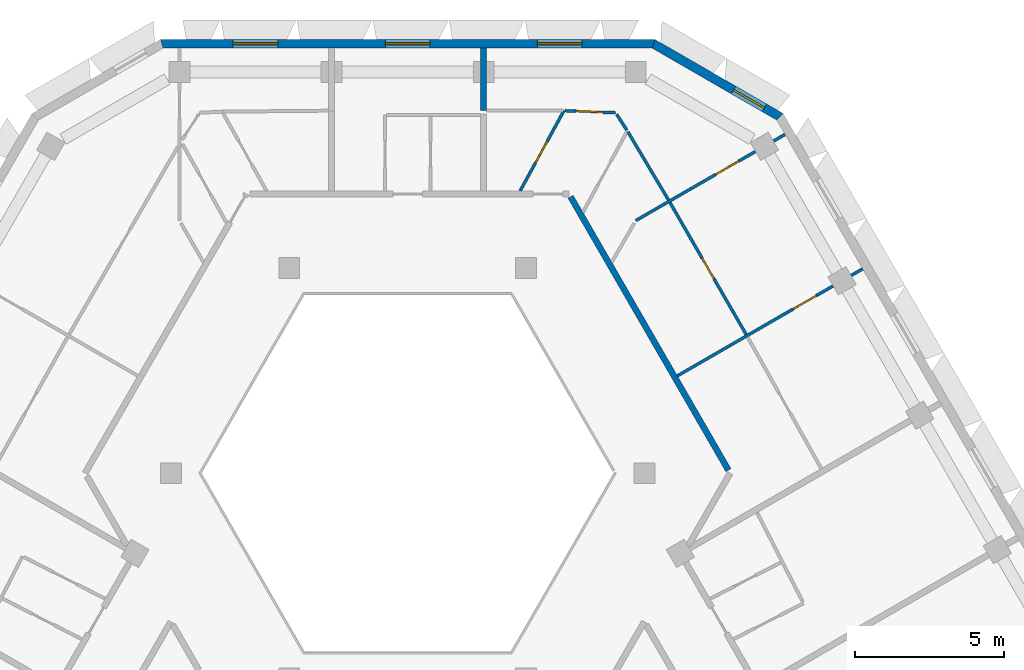
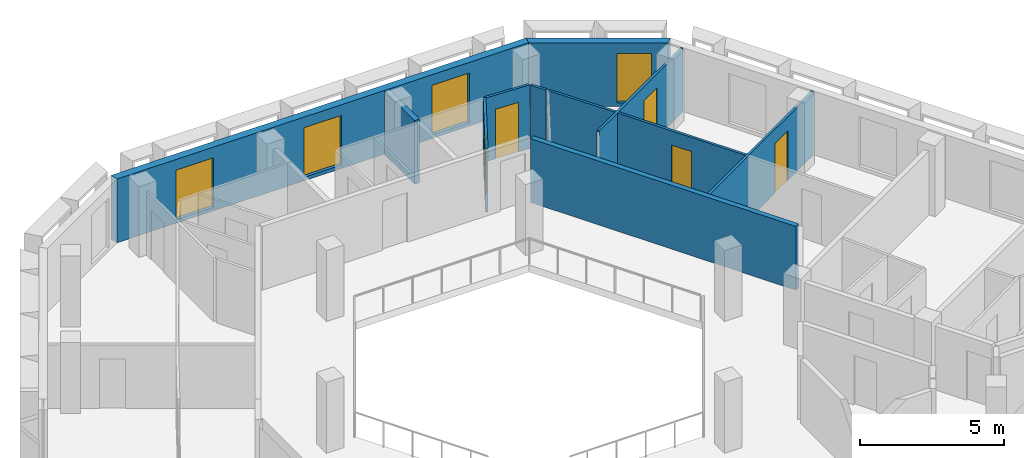
# One storey, part 8 of 15: 11 walls, 5 doors, 4 windows, 9 openings.
"""IFC4 building model written with IfcOpenShell, lengths in metres."""

from ifc_helpers import new_model, si_unit, direction, frame, frame_2d, origin, place, context, subcontext, project, spatial, polyline, rectangle, outline, extrude, material, layer, layer_set, type_object, element, fill, save


model = new_model("IFC4")

# Units and contexts
model_context = context("Model", 3, precision=1e-05, world=origin(), true_north=direction((0.0, 1.0)))
body_context = subcontext(model_context, "Body", "Model", "MODEL_VIEW")
ifc_project = project(units=[si_unit("LENGTHUNIT", "METRE"), si_unit("AREAUNIT", "SQUARE_METRE"), si_unit("VOLUMEUNIT", "CUBIC_METRE"), si_unit("PLANEANGLEUNIT", "RADIAN"), si_unit("MASSUNIT", "GRAM", prefix="KILO")], contexts=[model_context])

# Site, building, storey
site_placement = place(None, origin())
site = spatial("IfcSite", under=ifc_project, at=site_placement, CompositionType="ELEMENT")
building_placement = place(site_placement, origin())
building = spatial("IfcBuilding", under=site, at=building_placement, Name="Beryl Residences", CompositionType="ELEMENT")
storey_placement = place(building_placement, frame((0.0, 0.0, 205.800048828125)))
storey = spatial("IfcBuildingStorey", under=building, at=storey_placement, Name="L63", CompositionType="ELEMENT", Elevation=205.800048828125)

# Wall, openings, windows
ifc_material_1 = material(Name="Composite metal panel with mineral wool insulation")
ifc_layer_1 = layer(ifc_material_1, 0.300048828125)
ifc_layer_set_1 = layer_set([ifc_layer_1], Name="ES1 pale metal composite panel wall 300 mm")
wall_type_1 = type_object("IfcWallType", Name="ES1 pale metal composite panel wall 300 mm", PredefinedType="SOLIDWALL", material=ifc_layer_set_1)
wall_1_placement = place(storey_placement, frame((8.31396484375, 22.449951171875, 0.0), z_axis=(0.0, 0.0, 1.0), x_axis=(-1.0, 0.0, 0.0)))
wall_1 = element("IfcWall", 1, at=wall_1_placement, inside=storey, type_object=wall_type_1, Name="ES1 external wall L63 N", PredefinedType="SOLIDWALL", context=body_context, shape_type="SweptSolid", body=[
    extrude(outline(polyline([(0.0, -0.14990234375), (16.6279296875, -0.14990234375), (16.547607421875, 0.14990234375), (0.080322265625, 0.14990234375), (0.0, -0.14990234375)])), origin(), (0.0, 0.0, 1.0), 2.699951171875),
])
opening_1_placement = place(wall_1_placement, frame((2.444091796875, 0.0, 0.14990234375)))
opening_1 = element("IfcOpeningElement", 2, at=opening_1_placement, cuts=wall_1, Name="Opening W1", PredefinedType="OPENING", context=body_context, shape_type="SweptSolid", body=[
    extrude(rectangle(XDim=1.5, YDim=2.10009765625, at=frame_2d((0.75, 1.050048828125))), frame((0.0, 0.159912109375, 0.0), z_axis=(0.0, -1.0, 0.0), x_axis=(1.0, 0.0, 0.0)), (0.0, 0.0, 1.0), 0.320068359375),
])
opening_2_placement = place(wall_1_placement, frame((7.56396484375, 0.0, 0.14990234375)))
opening_2 = element("IfcOpeningElement", 3, at=opening_2_placement, cuts=wall_1, Name="Opening W1", PredefinedType="OPENING", context=body_context, shape_type="SweptSolid", body=[
    extrude(rectangle(XDim=1.5, YDim=2.10009765625, at=frame_2d((0.75, 1.050048828125))), frame((0.0, 0.159912109375, 0.0), z_axis=(0.0, -1.0, 0.0), x_axis=(1.0, 0.0, 0.0)), (0.0, 0.0, 1.0), 0.320068359375),
])
opening_3_placement = place(wall_1_placement, frame((12.68310546875, 0.0, 0.14990234375)))
opening_3 = element("IfcOpeningElement", 4, at=opening_3_placement, cuts=wall_1, Name="Opening W1", PredefinedType="OPENING", context=body_context, shape_type="SweptSolid", body=[
    extrude(rectangle(XDim=1.5, YDim=2.10009765625, at=frame_2d((0.75, 1.050048828125))), frame((0.0, 0.159912109375, 0.0), z_axis=(0.0, -1.0, 0.0), x_axis=(1.0, 0.0, 0.0)), (0.0, 0.0, 1.0), 0.320068359375),
])
ifc_material_2 = material(Name="Aluminium and clear glass", Category="aluminium")
window_type_1 = type_object("IfcWindowType", Name="W1 cell window 1500 x 2100 mm", PartitioningType="SINGLE_PANEL", PredefinedType="WINDOW", material=ifc_material_2)
window_1_placement = place(opening_1_placement, origin())
window_1 = element("IfcWindow", 5, at=window_1_placement, inside=storey, type_object=window_type_1, Name="W1 window L63 N 2", OverallHeight=2.10009765625, OverallWidth=1.5, PartitioningType="SINGLE_PANEL", PredefinedType="WINDOW", context=body_context, shape_type="SweptSolid", body=[
    extrude(rectangle(XDim=1.5, YDim=2.10009765625, at=frame_2d((0.75, 1.050048828125))), frame((0.0, 0.030029296875, 0.0), z_axis=(0.0, -1.0, 0.0), x_axis=(1.0, 0.0, 0.0)), (0.0, 0.0, 1.0), 0.06005859375),
])
fill(opening_1, window_1)
window_2_placement = place(opening_2_placement, origin())
window_2 = element("IfcWindow", 6, at=window_2_placement, inside=storey, type_object=window_type_1, Name="W1 window L63 N 4", OverallHeight=2.10009765625, OverallWidth=1.5, PartitioningType="SINGLE_PANEL", PredefinedType="WINDOW", context=body_context, shape_type="SweptSolid", body=[
    extrude(rectangle(XDim=1.5, YDim=2.10009765625, at=frame_2d((0.75, 1.050048828125))), frame((0.0, 0.030029296875, 0.0), z_axis=(0.0, -1.0, 0.0), x_axis=(1.0, 0.0, 0.0)), (0.0, 0.0, 1.0), 0.06005859375),
])
fill(opening_2, window_2)
window_3_placement = place(opening_3_placement, origin())
window_3 = element("IfcWindow", 7, at=window_3_placement, inside=storey, type_object=window_type_1, Name="W1 window L63 N 6", OverallHeight=2.10009765625, OverallWidth=1.5, PartitioningType="SINGLE_PANEL", PredefinedType="WINDOW", context=body_context, shape_type="SweptSolid", body=[
    extrude(rectangle(XDim=1.5, YDim=2.10009765625, at=frame_2d((0.75, 1.050048828125))), frame((0.0, 0.030029296875, 0.0), z_axis=(0.0, -1.0, 0.0), x_axis=(1.0, 0.0, 0.0)), (0.0, 0.0, 1.0), 0.06005859375),
])
fill(opening_3, window_3)

# Wall, opening, window
wall_2_placement = place(storey_placement, frame((12.569091796875, 19.969970703125, 0.0), z_axis=(0.0, 0.0, 1.0), x_axis=(-0.866022959057, 0.500004234368, 0.0)))
wall_2 = element("IfcWall", 8, at=wall_2_placement, inside=storey, type_object=wall_type_1, Name="ES1 external wall L63 NE-N", PredefinedType="SOLIDWALL", context=body_context, shape_type="SweptSolid", body=[
    extrude(outline(polyline([(0.0, -0.14990234375), (5.0, -0.14990234375), (4.919677734375, 0.14990234375), (0.080322265625, 0.14990234375), (0.0, -0.14990234375)])), origin(), (0.0, 0.0, 1.0), 2.699951171875),
])
opening_4_placement = place(wall_2_placement, frame((0.64990234375, 0.0, 0.14990234375)))
opening_4 = element("IfcOpeningElement", 9, at=opening_4_placement, cuts=wall_2, Name="Opening W2", PredefinedType="OPENING", context=body_context, shape_type="SweptSolid", body=[
    extrude(rectangle(XDim=1.199951171875, YDim=2.10009765625, at=frame_2d((0.60009765625, 1.050048828125))), frame((0.0, 0.159912109375, 0.0), z_axis=(0.0, -1.0, 0.0), x_axis=(1.0, 0.0, 0.0)), (0.0, 0.0, 1.0), 0.320068359375),
])
ifc_material_3 = material(Name="Aluminium and clear glass", Category="aluminium")
window_type_2 = type_object("IfcWindowType", Name="W2 chamfer window 1200 x 2100 mm", PartitioningType="SINGLE_PANEL", PredefinedType="WINDOW", material=ifc_material_3)
window_4_placement = place(opening_4_placement, origin())
window_4 = element("IfcWindow", 10, at=window_4_placement, inside=storey, type_object=window_type_2, Name="W2 window L63 NE-N 1", OverallHeight=2.10009765625, OverallWidth=1.199951171875, PartitioningType="SINGLE_PANEL", PredefinedType="WINDOW", context=body_context, shape_type="SweptSolid", body=[
    extrude(rectangle(XDim=1.199951171875, YDim=2.10009765625, at=frame_2d((0.60009765625, 1.050048828125))), frame((0.0, 0.030029296875, 0.0), z_axis=(0.0, -1.0, 0.0), x_axis=(1.0, 0.0, 0.0)), (0.0, 0.0, 1.0), 0.06005859375),
])
fill(opening_4, window_4)

# Walls
ifc_material_4 = material(Name="Gypsum board partition on steel studs", Category="steel")
ifc_layer_2 = layer(ifc_material_4, 0.10009765625)
ifc_layer_set_2 = layer_set([ifc_layer_2], Name="PT1 partition 100 mm gypsum board on steel studs")
wall_type_2 = type_object("IfcWallType", Name="PT1 partition 100 mm gypsum board on steel studs", PredefinedType="PARTITIONING", material=ifc_layer_set_2)
wall_3_placement = place(storey_placement, frame((7.034912109375, 20.076904296875, 0.0), z_axis=(0.0, 0.0, 1.0), x_axis=(0.540425167977, -0.841392083286, 0.0)))
element("IfcWall", 11, at=wall_3_placement, inside=storey, type_object=wall_type_2, Name="Wall PT1 L63 003", PredefinedType="PARTITIONING", context=body_context, shape_type="SweptSolid", body=[
    extrude(rectangle(XDim=0.631103515625, YDim=0.10009765625, at=frame_2d((0.3154296875, 0.0))), origin(), (0.0, 0.0, 1.0), 2.699951171875),
])
wall_4_placement = place(storey_placement, frame((7.4140625, 19.48388671875, 0.0), z_axis=(0.0, 0.0, 1.0), x_axis=(0.511881371655, -0.859056145634, 0.0)))
element("IfcWall", 12, at=wall_4_placement, inside=storey, type_object=wall_type_2, Name="Wall PT1 L63 004", PredefinedType="PARTITIONING", context=body_context, shape_type="SweptSolid", body=[
    extrude(rectangle(XDim=2.66650390625, YDim=0.10009765625, at=frame_2d((1.333251953125, 0.0))), origin(), (0.0, 0.0, 1.0), 2.699951171875),
])

# Wall, opening, door
wall_5_placement = place(storey_placement, frame((8.8291015625, 17.10693359375, 0.0), z_axis=(0.0, 0.0, 1.0), x_axis=(0.500022055211, -0.866012669828, 0.0)))
wall_5 = element("IfcWall", 13, at=wall_5_placement, inside=storey, type_object=wall_type_2, Name="Wall PT1 L63 007", PredefinedType="PARTITIONING", context=body_context, shape_type="SweptSolid", body=[
    extrude(rectangle(XDim=5.125732421875, YDim=0.10009765625, at=frame_2d((2.56298828125, 0.0))), origin(), (0.0, 0.0, 1.0), 2.699951171875),
])
opening_5_placement = place(wall_5_placement, frame((2.1630859375, 0.0, 0.0)))
opening_5 = element("IfcOpeningElement", 14, at=opening_5_placement, cuts=wall_5, Name="Opening D2107", PredefinedType="OPENING", context=body_context, shape_type="SweptSolid", body=[
    extrude(rectangle(XDim=0.800048828125, YDim=2.10009765625, at=frame_2d((0.39990234375, 1.050048828125))), frame((0.0, 0.06005859375, 0.0), z_axis=(0.0, -1.0, 0.0), x_axis=(1.0, 0.0, 0.0)), (0.0, 0.0, 1.0), 0.1201171875),
])
ifc_material_5 = material(Name="Timber door leaf", Category="wood")
door_type_1 = type_object("IfcDoorType", Name="D3 bathroom door 800 x 2100 mm", OperationType="SINGLE_SWING_LEFT", PredefinedType="DOOR", material=ifc_material_5)
door_1_placement = place(opening_5_placement, origin())
door_1 = element("IfcDoor", 15, at=door_1_placement, inside=storey, type_object=door_type_1, Name="Door D2107 L63 001", OperationType="SINGLE_SWING_LEFT", OverallHeight=2.10009765625, OverallWidth=0.800048828125, PredefinedType="DOOR", context=body_context, shape_type="SweptSolid", body=[
    extrude(rectangle(XDim=0.800048828125, YDim=2.10009765625, at=frame_2d((0.39990234375, 1.050048828125))), frame((0.0, 0.02490234375, 0.0), z_axis=(0.0, -1.0, 0.0), x_axis=(1.0, 0.0, 0.0)), (0.0, 0.0, 1.0), 0.050048828125),
])
fill(opening_5, door_1)

wall_6_placement = place(storey_placement, frame((5.2939453125, 20.197998046875, 0.0), z_axis=(0.0, 0.0, 1.0), x_axis=(0.999159599203, -0.040988965834, 0.0)))
wall_6 = element("IfcWall", 16, at=wall_6_placement, inside=storey, type_object=wall_type_2, Name="Wall PT1 L63 014", PredefinedType="PARTITIONING", context=body_context, shape_type="SweptSolid", body=[
    extrude(rectangle(XDim=1.70947265625, YDim=0.10009765625, at=frame_2d((0.854736328125, 0.0))), origin(), (0.0, 0.0, 1.0), 2.699951171875),
])
opening_6_placement = place(wall_6_placement, frame((0.376953125, 0.0, 0.0)))
opening_6 = element("IfcOpeningElement", 17, at=opening_6_placement, cuts=wall_6, Name="Opening D2104", PredefinedType="OPENING", context=body_context, shape_type="SweptSolid", body=[
    extrude(rectangle(XDim=0.89990234375, YDim=2.10009765625, at=frame_2d((0.449951171875, 1.050048828125))), frame((0.0, 0.06005859375, 0.0), z_axis=(0.0, -1.0, 0.0), x_axis=(1.0, 0.0, 0.0)), (0.0, 0.0, 1.0), 0.1201171875),
])
ifc_material_6 = material(Name="Timber door leaf", Category="wood")
door_type_2 = type_object("IfcDoorType", Name="D2 room door 900 x 2100 mm", OperationType="SINGLE_SWING_LEFT", PredefinedType="DOOR", material=ifc_material_6)
door_2_placement = place(opening_6_placement, origin())
door_2 = element("IfcDoor", 18, at=door_2_placement, inside=storey, type_object=door_type_2, Name="Door D2104 L63 001", OperationType="SINGLE_SWING_RIGHT", OverallHeight=2.10009765625, OverallWidth=0.89990234375, PredefinedType="DOOR", context=body_context, shape_type="SweptSolid", body=[
    extrude(rectangle(XDim=0.89990234375, YDim=2.10009765625, at=frame_2d((0.449951171875, 1.050048828125))), frame((0.0, 0.02490234375, 0.0), z_axis=(0.0, -1.0, 0.0), x_axis=(1.0, 0.0, 0.0)), (0.0, 0.0, 1.0), 0.050048828125),
])
fill(opening_6, door_2)

wall_7_placement = place(storey_placement, frame((3.787109375, 17.5, 0.0), z_axis=(0.0, 0.0, 1.0), x_axis=(0.479146828267, 0.877734764585, 0.0)))
wall_7 = element("IfcWall", 19, at=wall_7_placement, inside=storey, type_object=wall_type_2, Name="Wall PT1 L63 032", PredefinedType="PARTITIONING", context=body_context, shape_type="SweptSolid", body=[
    extrude(rectangle(XDim=3.075927734375, YDim=0.10009765625, at=frame_2d((1.5380859375, 0.0))), origin(), (0.0, 0.0, 1.0), 2.699951171875),
])
opening_7_placement = place(wall_7_placement, frame((1.0810546875, 0.0, 0.0)))
opening_7 = element("IfcOpeningElement", 20, at=opening_7_placement, cuts=wall_7, Name="Opening D2103", PredefinedType="OPENING", context=body_context, shape_type="SweptSolid", body=[
    extrude(rectangle(XDim=0.800048828125, YDim=2.10009765625, at=frame_2d((0.39990234375, 1.050048828125))), frame((0.0, 0.06005859375, 0.0), z_axis=(0.0, -1.0, 0.0), x_axis=(1.0, 0.0, 0.0)), (0.0, 0.0, 1.0), 0.1201171875),
])
door_3_placement = place(opening_7_placement, origin())
door_3 = element("IfcDoor", 21, at=door_3_placement, inside=storey, type_object=door_type_1, Name="Door D2103 L63 001", OperationType="SINGLE_SWING_LEFT", OverallHeight=2.10009765625, OverallWidth=0.800048828125, PredefinedType="DOOR", context=body_context, shape_type="SweptSolid", body=[
    extrude(rectangle(XDim=0.800048828125, YDim=2.10009765625, at=frame_2d((0.39990234375, 1.050048828125))), frame((0.0, 0.02490234375, 0.0), z_axis=(0.0, -1.0, 0.0), x_axis=(1.0, 0.0, 0.0)), (0.0, 0.0, 1.0), 0.050048828125),
])
fill(opening_7, door_3)

wall_8_placement = place(storey_placement, frame((9.0791015625, 11.27490234375, 0.0), z_axis=(0.0, 0.0, 1.0), x_axis=(0.866001485781, 0.500041424909, 0.0)))
wall_8 = element("IfcWall", 22, at=wall_8_placement, inside=storey, type_object=wall_type_2, Name="Wall PT1 L63 048", PredefinedType="PARTITIONING", context=body_context, shape_type="SweptSolid", body=[
    extrude(rectangle(XDim=7.19970703125, YDim=0.10009765625, at=frame_2d((3.599853515625, 0.0))), origin(), (0.0, 0.0, 1.0), 2.699951171875),
])
opening_8_placement = place(wall_8_placement, frame((4.5, 0.0, 0.0)))
opening_8 = element("IfcOpeningElement", 23, at=opening_8_placement, cuts=wall_8, Name="Opening D2106", PredefinedType="OPENING", context=body_context, shape_type="SweptSolid", body=[
    extrude(rectangle(XDim=0.89990234375, YDim=2.10009765625, at=frame_2d((0.449951171875, 1.050048828125))), frame((0.0, 0.06005859375, 0.0), z_axis=(0.0, -1.0, 0.0), x_axis=(1.0, 0.0, 0.0)), (0.0, 0.0, 1.0), 0.1201171875),
])
door_4_placement = place(opening_8_placement, origin())
door_4 = element("IfcDoor", 24, at=door_4_placement, inside=storey, type_object=door_type_2, Name="Door D2106 L63 001", OperationType="SINGLE_SWING_RIGHT", OverallHeight=2.10009765625, OverallWidth=0.89990234375, PredefinedType="DOOR", context=body_context, shape_type="SweptSolid", body=[
    extrude(rectangle(XDim=0.89990234375, YDim=2.10009765625, at=frame_2d((0.449951171875, 1.050048828125))), frame((0.0, 0.02490234375, 0.0), z_axis=(0.0, -1.0, 0.0), x_axis=(1.0, 0.0, 0.0)), (0.0, 0.0, 1.0), 0.050048828125),
])
fill(opening_8, door_4)

wall_9_placement = place(storey_placement, frame((7.679931640625, 16.5009765625, 0.0), z_axis=(0.0, 0.0, 1.0), x_axis=(0.86602149507, 0.500006770031, 0.0)))
wall_9 = element("IfcWall", 25, at=wall_9_placement, inside=storey, type_object=wall_type_2, Name="Wall PT1 L63 049", PredefinedType="PARTITIONING", context=body_context, shape_type="SweptSolid", body=[
    extrude(rectangle(XDim=5.7978515625, YDim=0.10009765625, at=frame_2d((2.89892578125, 0.0))), origin(), (0.0, 0.0, 1.0), 2.699951171875),
])
opening_9_placement = place(wall_9_placement, frame((3.097900390625, 0.0, 0.0)))
opening_9 = element("IfcOpeningElement", 26, at=opening_9_placement, cuts=wall_9, Name="Opening D2105", PredefinedType="OPENING", context=body_context, shape_type="SweptSolid", body=[
    extrude(rectangle(XDim=0.89990234375, YDim=2.10009765625, at=frame_2d((0.449951171875, 1.050048828125))), frame((0.0, 0.06005859375, 0.0), z_axis=(0.0, -1.0, 0.0), x_axis=(1.0, 0.0, 0.0)), (0.0, 0.0, 1.0), 0.1201171875),
])
door_5_placement = place(opening_9_placement, origin())
door_5 = element("IfcDoor", 27, at=door_5_placement, inside=storey, type_object=door_type_2, Name="Door D2105 L63 001", OperationType="SINGLE_SWING_LEFT", OverallHeight=2.10009765625, OverallWidth=0.89990234375, PredefinedType="DOOR", context=body_context, shape_type="SweptSolid", body=[
    extrude(rectangle(XDim=0.89990234375, YDim=2.10009765625, at=frame_2d((0.449951171875, 1.050048828125))), frame((0.0, 0.02490234375, 0.0), z_axis=(0.0, -1.0, 0.0), x_axis=(1.0, 0.0, 0.0)), (0.0, 0.0, 1.0), 0.050048828125),
])
fill(opening_9, door_5)

# Walls
ifc_material_7 = material(Name="Acoustic double stud gypsum board wall")
ifc_layer_3 = layer(ifc_material_7, 0.199951171875)
ifc_layer_set_3 = layer_set([ifc_layer_3], Name="PT3 party wall 200 mm acoustic double stud")
wall_type_3 = type_object("IfcWallType", Name="PT3 party wall 200 mm acoustic double stud", PredefinedType="PARTITIONING", material=ifc_layer_set_3)
wall_10_placement = place(storey_placement, frame((2.56005859375, 20.199951171875, 0.0), z_axis=(0.0, 0.0, 1.0), x_axis=(0.0, 1.0, 0.0)))
element("IfcWall", 28, at=wall_10_placement, inside=storey, type_object=wall_type_3, Name="Wall PT3 L63 014", PredefinedType="PARTITIONING", context=body_context, shape_type="SweptSolid", body=[
    extrude(rectangle(XDim=2.10009765625, YDim=0.199951171875, at=frame_2d((1.050048828125, 0.0))), origin(), (0.0, 0.0, 1.0), 2.699951171875),
])
ifc_material_8 = material(Name="Double stud gypsum board wall")
ifc_layer_4 = layer(ifc_material_8, 0.199951171875)
ifc_layer_set_4 = layer_set([ifc_layer_4], Name="PT4 corridor wall 200 mm double stud")
wall_type_4 = type_object("IfcWallType", Name="PT4 corridor wall 200 mm double stud", PredefinedType="PARTITIONING", material=ifc_layer_set_4)
wall_11_placement = place(storey_placement, frame((5.485107421875, 17.300048828125, 0.0), z_axis=(0.0, 0.0, 1.0), x_axis=(0.499943285704, -0.866058145322, 0.0)))
element("IfcWall", 29, at=wall_11_placement, inside=storey, type_object=wall_type_4, Name="Wall PT4 L63 007", PredefinedType="PARTITIONING", context=body_context, shape_type="SweptSolid", body=[
    extrude(rectangle(XDim=10.622802734375, YDim=0.199951171875, at=frame_2d((5.3115234375, 0.0))), origin(), (0.0, 0.0, 1.0), 2.699951171875),
])

save(model, "model.ifc")
